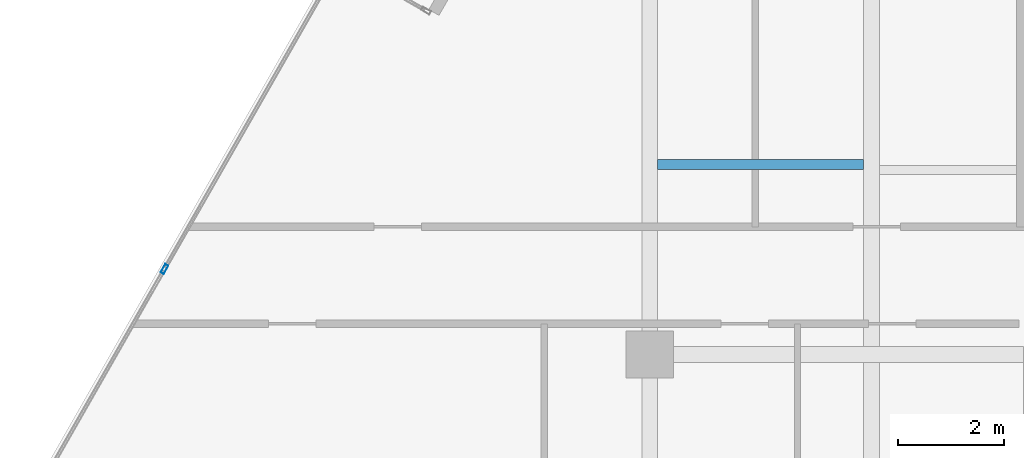
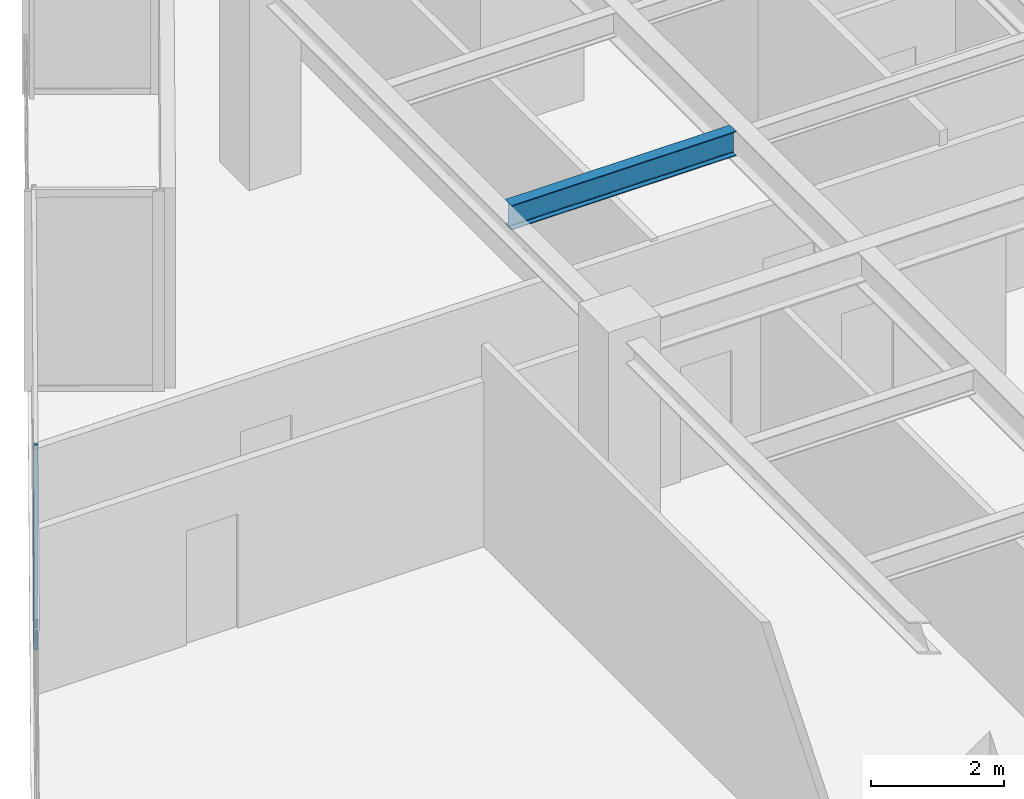
# One storey, part 7 of 24: 1 beam, 1 member, 1 element without a shape of its own.
"""IFC4 building model written with IfcOpenShell, lengths in metres."""

from ifc_helpers import new_model, si_unit, direction, frame, origin, origin_2d, place, context, subcontext, project, spatial, hollow_rectangle, i_section, extrude, source, transform, mapped, material, material_profile, profile_set, type_object, type_shapes, element, aggregate, save


model = new_model("IFC4")

# Units and contexts
model_context = context("Model", 3, precision=1e-05, world=origin(), true_north=direction((0.0, 1.0)))
body_context = subcontext(model_context, "Body", "Model", "MODEL_VIEW")
ifc_project = project(units=[si_unit("LENGTHUNIT", "METRE"), si_unit("AREAUNIT", "SQUARE_METRE"), si_unit("VOLUMEUNIT", "CUBIC_METRE"), si_unit("PLANEANGLEUNIT", "RADIAN"), si_unit("MASSUNIT", "GRAM", prefix="KILO")], contexts=[model_context])

# Site, building, storey
site_placement = place(None, origin())
site = spatial("IfcSite", under=ifc_project, at=site_placement, CompositionType="ELEMENT")
building_placement = place(site_placement, origin())
building = spatial("IfcBuilding", under=site, at=building_placement, Name="Krantzveldt Concourse Tower", CompositionType="ELEMENT")
storey_placement = place(building_placement, frame((0.0, 0.0, 165.949951171875)))
storey = spatial("IfcBuildingStorey", under=building, at=storey_placement, Name="L40", CompositionType="ELEMENT", Elevation=165.949951171875)

# Beam
ifc_material_1 = material(Name="Steel S355JR", Category="steel")
ifc_material_profile_1 = material_profile(ifc_material_1, i_section(OverallWidth=0.18994140625, OverallDepth=0.449951171875, WebThickness=0.009521484375, FlangeThickness=0.0146484375, FilletRadius=0.02099609375, at=origin_2d()), Name="Steel S355JR", Category="steel")
ifc_profile_set_1 = profile_set([ifc_material_profile_1], Name="Steel S355JR - IPE 450")
beam_type = type_object("IfcBeamType", Name="BM-J-IPE450", PredefinedType="JOIST", material=ifc_profile_set_1)
shared_shape_1 = source(origin(), body_context, "Body", "SweptSolid", [
    extrude(i_section(OverallWidth=0.18994140625, OverallDepth=0.449951171875, WebThickness=0.009521484375, FlangeThickness=0.0146484375, FilletRadius=0.02099609375, at=origin_2d()), origin(), (0.0, 0.0, 1.0), 3.900146484375),
])
type_shapes(beam_type, [shared_shape_1])
beam_placement = place(storey_placement, frame((21.14990234375, 30.300048828125, 3.445068359375), z_axis=(1.0, 0.0, 0.0), x_axis=(0.0, 1.0, 0.0)))
element("IfcBeam", 1, at=beam_placement, inside=storey, type_object=beam_type, Name="L40 Secondary Floor Joist JW-3", PredefinedType="JOIST", context=body_context, shape_type="MappedRepresentation", body=[
    mapped(shared_shape_1, transform((0.0, 0.0, 0.0), x_axis=(1.0, 0.0, 0.0), y_axis=(0.0, 1.0, 0.0), z_axis=(0.0, 0.0, 1.0), scale=1.0)),
])

# Curtain wall, member
ifc_material_2 = material(Name="Anodised aluminium 6063-T6", Category="aluminium")
curtain_wall_type = type_object("IfcCurtainWallType", Name="CW3", PredefinedType="USERDEFINED", material=ifc_material_2)
curtain_wall_placement = place(storey_placement, origin())
curtain_wall = element("IfcCurtainWall", 2, at=curtain_wall_placement, inside=storey, type_object=curtain_wall_type, Name="CW-L40-F05", ObjectType="UNITISED CURTAIN WALL", PredefinedType="USERDEFINED")
ifc_material_profile_2 = material_profile(ifc_material_2, hollow_rectangle(XDim=0.070068359375, YDim=0.179931640625, WallThickness=0.0048828125, at=origin_2d()), Name="Anodised aluminium 6063-T6", Category="aluminium")
ifc_profile_set_2 = profile_set([ifc_material_profile_2], Name="Anodised aluminium 6063-T6 - ALU-MULL 180x70x5")
member_type = type_object("IfcMemberType", Name="CW-MUL-180", PredefinedType="MULLION", material=ifc_profile_set_2)
shared_shape_2 = source(origin(), body_context, "Body", "SweptSolid", [
    extrude(hollow_rectangle(XDim=0.070068359375, YDim=0.179931640625, WallThickness=0.0048828125, at=origin_2d()), origin(), (0.0, 0.0, 1.0), 3.670166015625),
])
type_shapes(member_type, [shared_shape_2])
member_placement = place(storey_placement, frame((11.8046875, 28.319580078125, 0.0), z_axis=(0.0, 0.0, 1.0), x_axis=(0.868199066314, -0.496216063073, 0.0)))
member = element("IfcMember", 3, at=member_placement, type_object=member_type, Name="CW-Z34 mullion 2", PredefinedType="MULLION", context=body_context, shape_type="MappedRepresentation", body=[
    mapped(shared_shape_2, transform((0.0, 0.0, 0.0), x_axis=(1.0, 0.0, 0.0), y_axis=(0.0, 1.0, 0.0), z_axis=(0.0, 0.0, 1.0), scale=1.0)),
])
aggregate(curtain_wall, [member])

save(model, "model.ifc")
